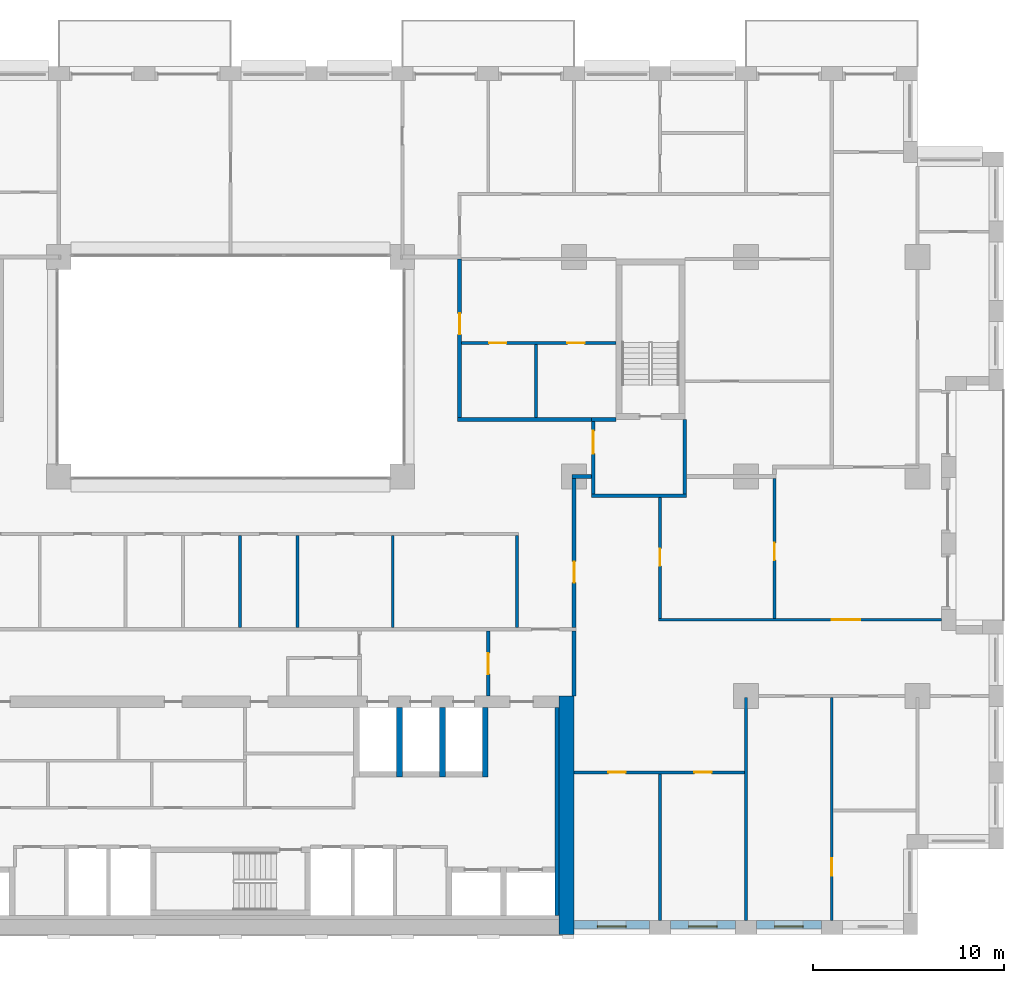
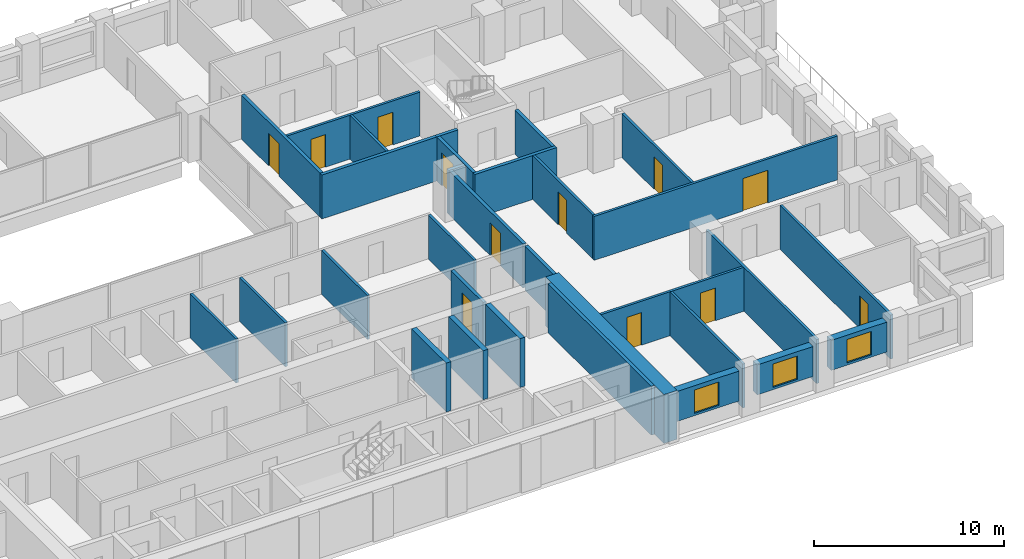
# One storey, part 11 of 16: 31 walls, 12 doors, 3 windows, 15 openings.
"""IFC4 building model written with IfcOpenShell, lengths in metres."""

from ifc_helpers import new_model, si_unit, direction, frame, frame_2d, origin, place, context, subcontext, project, spatial, rectangle, extrude, material, layer, layer_set, type_object, element, fill, save


model = new_model("IFC4")

# Units and contexts
model_context = context("Model", 3, precision=1e-05, world=origin(), true_north=direction((0.0, 1.0)))
body_context = subcontext(model_context, "Body", "Model", "MODEL_VIEW")
ifc_project = project(units=[si_unit("LENGTHUNIT", "METRE"), si_unit("AREAUNIT", "SQUARE_METRE"), si_unit("VOLUMEUNIT", "CUBIC_METRE"), si_unit("PLANEANGLEUNIT", "RADIAN"), si_unit("MASSUNIT", "GRAM", prefix="KILO")], contexts=[model_context])

# Site, building, storey
site_placement = place(None, origin())
site = spatial("IfcSite", under=ifc_project, at=site_placement, CompositionType="ELEMENT")
building_placement = place(site_placement, origin())
building = spatial("IfcBuilding", under=site, at=building_placement, Name="Brigalow Station Residences", CompositionType="ELEMENT")
storey_placement = place(building_placement, frame((0.0, 0.0, 105.60009765625)))
storey = spatial("IfcBuildingStorey", under=building, at=storey_placement, Name="L30", CompositionType="ELEMENT", Elevation=105.60009765625)

# Wall, opening, window
ifc_material_1 = material(Name="Clay brick masonry", Category="masonry")
ifc_layer_1 = layer(ifc_material_1, 0.449951171875)
ifc_layer_set_1 = layer_set([ifc_layer_1], Name="BRICK INFILL WALL 450")
wall_type_1 = type_object("IfcWallType", Name="BRICK INFILL WALL 450", PredefinedType="SOLIDWALL", material=ifc_layer_set_1)
wall_1_placement = place(storey_placement, frame((54.0, 0.52490234375, 0.89990234375), z_axis=(0.0, 0.0, 1.0), x_axis=(1.0, 0.0, 0.0)))
wall_1 = element("IfcWall", 1, at=wall_1_placement, inside=storey, type_object=wall_type_1, Name="L30/ewall/W-L30-4", PredefinedType="SOLIDWALL", context=body_context, shape_type="SweptSolid", body=[
    extrude(rectangle(XDim=3.949951171875, YDim=0.449951171875, at=frame_2d((1.97509765625, 0.0))), origin(), (0.0, 0.0, 1.0), 1.929931640625),
])
opening_1_placement = place(wall_1_placement, frame((1.22509765625, 0.0, 0.14990234375)))
opening_1 = element("IfcOpeningElement", 2, at=opening_1_placement, cuts=wall_1, Name="Opening WT-1", PredefinedType="OPENING", context=body_context, shape_type="SweptSolid", body=[
    extrude(rectangle(XDim=1.5, YDim=1.5, at=frame_2d((0.75, 0.75))), frame((0.0, 0.23486328125, 0.0), z_axis=(0.0, -1.0, 0.0), x_axis=(1.0, 0.0, 0.0)), (0.0, 0.0, 1.0), 0.469970703125),
])
ifc_material_2 = material(Name="Anodised aluminium frame with double glazing", Category="aluminium")
window_type = type_object("IfcWindowType", Name="WINDOW 1500x1500", PartitioningType="SINGLE_PANEL", PredefinedType="WINDOW", material=ifc_material_2)
window_1_placement = place(opening_1_placement, origin())
window_1 = element("IfcWindow", 3, at=window_1_placement, inside=storey, type_object=window_type, Name="L30/window/W-L30-4", OverallHeight=1.5, OverallWidth=1.5, PartitioningType="SINGLE_PANEL", PredefinedType="WINDOW", context=body_context, shape_type="SweptSolid", body=[
    extrude(rectangle(XDim=1.5, YDim=1.5, at=frame_2d((0.75, 0.75))), frame((0.0, -0.06494140625, 0.0), z_axis=(0.0, -1.0, 0.0), x_axis=(1.0, 0.0, 0.0)), (0.0, 0.0, 1.0), 0.06005859375),
])
fill(opening_1, window_1)

wall_2_placement = place(storey_placement, frame((59.050048828125, 0.52490234375, 0.89990234375), z_axis=(0.0, 0.0, 1.0), x_axis=(1.0, 0.0, 0.0)))
wall_2 = element("IfcWall", 4, at=wall_2_placement, inside=storey, type_object=wall_type_1, Name="L30/ewall/W-L30-5", PredefinedType="SOLIDWALL", context=body_context, shape_type="SweptSolid", body=[
    extrude(rectangle(XDim=3.39990234375, YDim=0.449951171875, at=frame_2d((1.699951171875, 0.0))), origin(), (0.0, 0.0, 1.0), 1.929931640625),
])
opening_2_placement = place(wall_2_placement, frame((0.949951171875, 0.0, 0.14990234375)))
opening_2 = element("IfcOpeningElement", 5, at=opening_2_placement, cuts=wall_2, Name="Opening WT-1", PredefinedType="OPENING", context=body_context, shape_type="SweptSolid", body=[
    extrude(rectangle(XDim=1.5, YDim=1.5, at=frame_2d((0.75, 0.75))), frame((0.0, 0.23486328125, 0.0), z_axis=(0.0, -1.0, 0.0), x_axis=(1.0, 0.0, 0.0)), (0.0, 0.0, 1.0), 0.469970703125),
])
window_2_placement = place(opening_2_placement, origin())
window_2 = element("IfcWindow", 6, at=window_2_placement, inside=storey, type_object=window_type, Name="L30/window/W-L30-5", OverallHeight=1.5, OverallWidth=1.5, PartitioningType="SINGLE_PANEL", PredefinedType="WINDOW", context=body_context, shape_type="SweptSolid", body=[
    extrude(rectangle(XDim=1.5, YDim=1.5, at=frame_2d((0.75, 0.75))), frame((0.0, -0.06494140625, 0.0), z_axis=(0.0, -1.0, 0.0), x_axis=(1.0, 0.0, 0.0)), (0.0, 0.0, 1.0), 0.06005859375),
])
fill(opening_2, window_2)

wall_3_placement = place(storey_placement, frame((63.550048828125, 0.52490234375, 0.89990234375), z_axis=(0.0, 0.0, 1.0), x_axis=(1.0, 0.0, 0.0)))
wall_3 = element("IfcWall", 7, at=wall_3_placement, inside=storey, type_object=wall_type_1, Name="L30/ewall/W-L30-6", PredefinedType="SOLIDWALL", context=body_context, shape_type="SweptSolid", body=[
    extrude(rectangle(XDim=3.39990234375, YDim=0.449951171875, at=frame_2d((1.699951171875, 0.0))), origin(), (0.0, 0.0, 1.0), 1.929931640625),
])
opening_3_placement = place(wall_3_placement, frame((0.949951171875, 0.0, 0.14990234375)))
opening_3 = element("IfcOpeningElement", 8, at=opening_3_placement, cuts=wall_3, Name="Opening WT-1", PredefinedType="OPENING", context=body_context, shape_type="SweptSolid", body=[
    extrude(rectangle(XDim=1.5, YDim=1.5, at=frame_2d((0.75, 0.75))), frame((0.0, 0.23486328125, 0.0), z_axis=(0.0, -1.0, 0.0), x_axis=(1.0, 0.0, 0.0)), (0.0, 0.0, 1.0), 0.469970703125),
])
window_3_placement = place(opening_3_placement, origin())
window_3 = element("IfcWindow", 9, at=window_3_placement, inside=storey, type_object=window_type, Name="L30/window/W-L30-6", OverallHeight=1.5, OverallWidth=1.5, PartitioningType="SINGLE_PANEL", PredefinedType="WINDOW", context=body_context, shape_type="SweptSolid", body=[
    extrude(rectangle(XDim=1.5, YDim=1.5, at=frame_2d((0.75, 0.75))), frame((0.0, -0.06494140625, 0.0), z_axis=(0.0, -1.0, 0.0), x_axis=(1.0, 0.0, 0.0)), (0.0, 0.0, 1.0), 0.06005859375),
])
fill(opening_3, window_3)

# Walls
ifc_material_3 = material(Name="Concrete C65", Category="concrete")
ifc_layer_2 = layer(ifc_material_3, 0.199951171875)
ifc_layer_set_2 = layer_set([ifc_layer_2], Name="CORE SHEAR WALL 200 C65")
wall_type_2 = type_object("IfcWallType", Name="CORE SHEAR WALL 200 C65", PredefinedType="SHEAR", material=ifc_layer_set_2)
wall_4_placement = place(storey_placement, frame((53.10009765625, 1.0, 0.0), z_axis=(0.0, 0.0, 1.0), x_axis=(0.0, 1.0, 0.0)))
element("IfcWall", 10, at=wall_4_placement, inside=storey, type_object=wall_type_2, Name="CORE WALL LIN-E L30", PredefinedType="SHEAR", context=body_context, shape_type="SweptSolid", body=[
    extrude(rectangle(XDim=10.89990234375, YDim=0.199951171875, at=frame_2d((5.449951171875, 0.0))), origin(), (0.0, 0.0, 1.0), 3.14990234375),
])
ifc_material_4 = material(Name="Concrete C65", Category="concrete")
ifc_layer_3 = layer(ifc_material_4, 0.300048828125)
ifc_layer_set_3 = layer_set([ifc_layer_3], Name="CORE SHEAR WALL 300 C65")
wall_type_3 = type_object("IfcWallType", Name="CORE SHEAR WALL 300 C65", PredefinedType="SHEAR", material=ifc_layer_set_3)
for number, where, z_axis, x_axis, name in (
    (11, (44.85009765625, 8.25, 0.0), (0.0, 0.0, 1.0), (0.0, 1.0, 0.0), "CORE WALL SH-FF2-W L30"),
    (12, (47.10009765625, 8.25, 0.0), (0.0, 0.0, 1.0), (0.0, 1.0, 0.0), "CORE WALL SH-SL1-W L30"),
    (13, (49.35009765625, 8.25, 0.0), (0.0, 0.0, 1.0), (0.0, 1.0, 0.0), "CORE WALL SH-SL1-E L30"),
):
    element("IfcWall", number, at=place(storey_placement, frame(where, z_axis=z_axis, x_axis=x_axis)), inside=storey, type_object=wall_type_3, Name=name, PredefinedType="SHEAR", context=body_context, shape_type="SweptSolid", body=[
        extrude(rectangle(XDim=3.64990234375, YDim=0.300048828125, at=frame_2d((1.824951171875, 0.0))), origin(), (0.0, 0.0, 1.0), 3.14990234375),
    ])
ifc_material_5 = material(Name="Concrete C65", Category="concrete")
ifc_layer_4 = layer(ifc_material_5, 0.800048828125)
ifc_layer_set_4 = layer_set([ifc_layer_4], Name="CORE SHEAR WALL 800 C65")
wall_type_4 = type_object("IfcWallType", Name="CORE SHEAR WALL 800 C65", PredefinedType="SHEAR", material=ifc_layer_set_4)
wall_5_placement = place(storey_placement, frame((53.60009765625, 0.0, 0.0), z_axis=(0.0, 0.0, 1.0), x_axis=(0.0, 1.0, 0.0)))
element("IfcWall", 14, at=wall_5_placement, inside=storey, type_object=wall_type_4, Name="CORE WALL OUT-E L30", PredefinedType="SHEAR", context=body_context, shape_type="SweptSolid", body=[
    extrude(rectangle(XDim=12.5, YDim=0.800048828125, at=frame_2d((6.25, 0.0))), origin(), (0.0, 0.0, 1.0), 3.14990234375),
])
ifc_material_6 = material(Name="Concrete blockwork", Category="masonry")
ifc_layer_5 = layer(ifc_material_6, 0.199951171875)
ifc_layer_set_5 = layer_set([ifc_layer_5], Name="FIRE RATED CORE PARTITION 200")
wall_type_5 = type_object("IfcWallType", Name="FIRE RATED CORE PARTITION 200", PredefinedType="PARTITIONING", material=ifc_layer_set_5)
wall_6_placement = place(storey_placement, frame((54.89990234375, 23.0, 0.0), z_axis=(0.0, 0.0, 1.0), x_axis=(1.0, 0.0, 0.0)))
element("IfcWall", 15, at=wall_6_placement, inside=storey, type_object=wall_type_5, Name="PW-5024", PredefinedType="PARTITIONING", context=body_context, shape_type="SweptSolid", body=[
    extrude(rectangle(XDim=5.0, YDim=0.199951171875, at=frame_2d((2.5, 0.0))), origin(), (0.0, 0.0, 1.0), 2.829833984375),
])
wall_7_placement = place(storey_placement, frame((54.89990234375, 27.0, 0.0), z_axis=(0.0, 0.0, 1.0), x_axis=(1.0, 0.0, 0.0)))
element("IfcWall", 16, at=wall_7_placement, inside=storey, type_object=wall_type_5, Name="PW-5026", PredefinedType="PARTITIONING", context=body_context, shape_type="SweptSolid", body=[
    extrude(rectangle(XDim=1.300048828125, YDim=0.199951171875, at=frame_2d((0.64990234375, 0.0))), origin(), (0.0, 0.0, 1.0), 2.829833984375),
])

# Wall, opening, door
wall_8_placement = place(storey_placement, frame((49.5, 12.5, 0.0), z_axis=(0.0, 0.0, 1.0), x_axis=(0.0, 1.0, 0.0)))
wall_8 = element("IfcWall", 17, at=wall_8_placement, inside=storey, type_object=wall_type_5, Name="PW-5015", PredefinedType="PARTITIONING", context=body_context, shape_type="SweptSolid", body=[
    extrude(rectangle(XDim=3.39990234375, YDim=0.199951171875, at=frame_2d((1.699951171875, 0.0))), origin(), (0.0, 0.0, 1.0), 2.829833984375),
])
opening_4_placement = place(wall_8_placement, frame((1.14990234375, 0.0, 0.0)))
opening_4 = element("IfcOpeningElement", 18, at=opening_4_placement, cuts=wall_8, Name="Opening D-5014", PredefinedType="OPENING", context=body_context, shape_type="SweptSolid", body=[
    extrude(rectangle(XDim=1.10009765625, YDim=2.10009765625, at=frame_2d((0.550048828125, 1.050048828125))), frame((0.0, 0.10986328125, 0.0), z_axis=(0.0, -1.0, 0.0), x_axis=(1.0, 0.0, 0.0)), (0.0, 0.0, 1.0), 0.219970703125),
])
ifc_material_7 = material(Name="Steel fire door leaf in steel frame", Category="steel")
door_type_1 = type_object("IfcDoorType", Name="LOBBY DOOR 1100 x 2100 FD60S", OperationType="SINGLE_SWING_LEFT", PredefinedType="DOOR", material=ifc_material_7)
door_1_placement = place(opening_4_placement, origin())
door_1 = element("IfcDoor", 19, at=door_1_placement, inside=storey, type_object=door_type_1, Name="D-5014", OperationType="SINGLE_SWING_LEFT", OverallHeight=2.10009765625, OverallWidth=1.10009765625, PredefinedType="DOOR", context=body_context, shape_type="SweptSolid", body=[
    extrude(rectangle(XDim=1.10009765625, YDim=2.10009765625, at=frame_2d((0.550048828125, 1.050048828125))), frame((0.0, 0.02490234375, 0.0), z_axis=(0.0, -1.0, 0.0), x_axis=(1.0, 0.0, 0.0)), (0.0, 0.0, 1.0), 0.050048828125),
])
fill(opening_4, door_1)

# Wall
wall_9_placement = place(storey_placement, frame((54.0, 12.5, 0.0), z_axis=(0.0, 0.0, 1.0), x_axis=(0.0, 1.0, 0.0)))
element("IfcWall", 20, at=wall_9_placement, inside=storey, type_object=wall_type_5, Name="PW-5016", PredefinedType="PARTITIONING", context=body_context, shape_type="SweptSolid", body=[
    extrude(rectangle(XDim=3.39990234375, YDim=0.199951171875, at=frame_2d((1.699951171875, 0.0))), origin(), (0.0, 0.0, 1.0), 2.829833984375),
])

# Wall, opening, door
wall_10_placement = place(storey_placement, frame((55.0, 23.10009765625, 0.0), z_axis=(0.0, 0.0, 1.0), x_axis=(0.0, 1.0, 0.0)))
wall_10 = element("IfcWall", 21, at=wall_10_placement, inside=storey, type_object=wall_type_5, Name="PW-5036", PredefinedType="PARTITIONING", context=body_context, shape_type="SweptSolid", body=[
    extrude(rectangle(XDim=3.7998046875, YDim=0.199951171875, at=frame_2d((1.89990234375, 0.0))), origin(), (0.0, 0.0, 1.0), 2.829833984375),
])
opening_5_placement = place(wall_10_placement, frame((2.10009765625, 0.0, 0.0)))
opening_5 = element("IfcOpeningElement", 22, at=opening_5_placement, cuts=wall_10, Name="Opening D-5019", PredefinedType="OPENING", context=body_context, shape_type="SweptSolid", body=[
    extrude(rectangle(XDim=1.199951171875, YDim=2.10009765625, at=frame_2d((0.60009765625, 1.050048828125))), frame((0.0, 0.10986328125, 0.0), z_axis=(0.0, -1.0, 0.0), x_axis=(1.0, 0.0, 0.0)), (0.0, 0.0, 1.0), 0.219970703125),
])
ifc_material_8 = material(Name="Steel fire door leaf in steel frame", Category="steel")
door_type_2 = type_object("IfcDoorType", Name="STAIR LOBBY DOOR 1200 x 2100 FD60S", OperationType="SINGLE_SWING_LEFT", PredefinedType="DOOR", material=ifc_material_8)
door_2_placement = place(opening_5_placement, frame((1.199951171875, 0.0, 0.0), z_axis=(0.0, 0.0, 1.0), x_axis=(-1.0, 0.0, 0.0)))
door_2 = element("IfcDoor", 23, at=door_2_placement, inside=storey, type_object=door_type_2, Name="D-5019", OperationType="SINGLE_SWING_LEFT", OverallHeight=2.10009765625, OverallWidth=1.199951171875, PredefinedType="DOOR", context=body_context, shape_type="SweptSolid", body=[
    extrude(rectangle(XDim=1.199951171875, YDim=2.10009765625, at=frame_2d((0.60009765625, 1.050048828125))), frame((0.0, 0.02490234375, 0.0), z_axis=(0.0, -1.0, 0.0), x_axis=(1.0, 0.0, 0.0)), (0.0, 0.0, 1.0), 0.050048828125),
])
fill(opening_5, door_2)

# Wall
wall_11_placement = place(storey_placement, frame((59.800048828125, 23.10009765625, 0.0), z_axis=(0.0, 0.0, 1.0), x_axis=(0.0, 1.0, 0.0)))
element("IfcWall", 24, at=wall_11_placement, inside=storey, type_object=wall_type_5, Name="PW-5037", PredefinedType="PARTITIONING", context=body_context, shape_type="SweptSolid", body=[
    extrude(rectangle(XDim=3.89990234375, YDim=0.199951171875, at=frame_2d((1.949951171875, 0.0))), origin(), (0.0, 0.0, 1.0), 2.829833984375),
])

# Wall, opening, door
ifc_material_9 = material(Name="Plasterboard on steel stud partition", Category="steel")
ifc_layer_6 = layer(ifc_material_9, 0.14990234375)
ifc_layer_set_6 = layer_set([ifc_layer_6], Name="FLAT PARTITION 150")
wall_type_6 = type_object("IfcWallType", Name="FLAT PARTITION 150", PredefinedType="PARTITIONING", material=ifc_layer_set_6)
wall_12_placement = place(storey_placement, frame((58.425048828125, 16.5, 0.0), z_axis=(0.0, 0.0, 1.0), x_axis=(1.0, 0.0, 0.0)))
wall_12 = element("IfcWall", 25, at=wall_12_placement, inside=storey, type_object=wall_type_6, Name="PW-2C14", PredefinedType="PARTITIONING", context=body_context, shape_type="SweptSolid", body=[
    extrude(rectangle(XDim=14.824951171875, YDim=0.14990234375, at=frame_2d((7.41259765625, 0.0))), origin(), (0.0, 0.0, 1.0), 2.829833984375),
])
opening_6_placement = place(wall_12_placement, frame((9.074951171875, 0.0, 0.0)))
opening_6 = element("IfcOpeningElement", 26, at=opening_6_placement, cuts=wall_12, Name="Opening D-2C40", PredefinedType="OPENING", context=body_context, shape_type="SweptSolid", body=[
    extrude(rectangle(XDim=1.5, YDim=2.10009765625, at=frame_2d((0.75, 1.050048828125))), frame((0.0, 0.0849609375, 0.0), z_axis=(0.0, -1.0, 0.0), x_axis=(1.0, 0.0, 0.0)), (0.0, 0.0, 1.0), 0.169921875),
])
ifc_material_10 = material(Name="Solid-core timber door leaf", Category="wood")
door_type_3 = type_object("IfcDoorType", Name="INTERNAL DOUBLE DOOR 1500 x 2100", OperationType="DOUBLE_DOOR_SINGLE_SWING", PredefinedType="DOOR", material=ifc_material_10)
door_3_placement = place(opening_6_placement, origin())
door_3 = element("IfcDoor", 27, at=door_3_placement, inside=storey, type_object=door_type_3, Name="D-2C40", OperationType="DOUBLE_DOOR_SINGLE_SWING", OverallHeight=2.10009765625, OverallWidth=1.5, PredefinedType="DOOR", context=body_context, shape_type="SweptSolid", body=[
    extrude(rectangle(XDim=1.5, YDim=2.10009765625, at=frame_2d((0.75, 1.050048828125))), frame((0.0, 0.02490234375, 0.0), z_axis=(0.0, -1.0, 0.0), x_axis=(1.0, 0.0, 0.0)), (0.0, 0.0, 1.0), 0.050048828125),
])
fill(opening_6, door_3)

# Wall, openings, doors
wall_13_placement = place(storey_placement, frame((54.0, 8.5, 0.0), z_axis=(0.0, 0.0, 1.0), x_axis=(1.0, 0.0, 0.0)))
wall_13 = element("IfcWall", 28, at=wall_13_placement, inside=storey, type_object=wall_type_6, Name="PW-2C16", PredefinedType="PARTITIONING", context=body_context, shape_type="SweptSolid", body=[
    extrude(rectangle(XDim=8.925048828125, YDim=0.14990234375, at=frame_2d((4.46240234375, 0.0))), origin(), (0.0, 0.0, 1.0), 2.829833984375),
])
opening_7_placement = place(wall_13_placement, frame((1.800048828125, 0.0, 0.0)))
opening_7 = element("IfcOpeningElement", 29, at=opening_7_placement, cuts=wall_13, Name="Opening D-2C32", PredefinedType="OPENING", context=body_context, shape_type="SweptSolid", body=[
    extrude(rectangle(XDim=0.89990234375, YDim=2.10009765625, at=frame_2d((0.449951171875, 1.050048828125))), frame((0.0, 0.0849609375, 0.0), z_axis=(0.0, -1.0, 0.0), x_axis=(1.0, 0.0, 0.0)), (0.0, 0.0, 1.0), 0.169921875),
])
opening_8_placement = place(wall_13_placement, frame((6.300048828125, 0.0, 0.0)))
opening_8 = element("IfcOpeningElement", 30, at=opening_8_placement, cuts=wall_13, Name="Opening D-2C34", PredefinedType="OPENING", context=body_context, shape_type="SweptSolid", body=[
    extrude(rectangle(XDim=0.89990234375, YDim=2.10009765625, at=frame_2d((0.449951171875, 1.050048828125))), frame((0.0, 0.0849609375, 0.0), z_axis=(0.0, -1.0, 0.0), x_axis=(1.0, 0.0, 0.0)), (0.0, 0.0, 1.0), 0.169921875),
])
ifc_material_11 = material(Name="Solid-core timber door leaf", Category="wood")
door_type_4 = type_object("IfcDoorType", Name="INTERNAL DOOR 900 x 2100", OperationType="SINGLE_SWING_LEFT", PredefinedType="DOOR", material=ifc_material_11)
door_4_placement = place(opening_7_placement, frame((0.89990234375, 0.0, 0.0), z_axis=(0.0, 0.0, 1.0), x_axis=(-1.0, 0.0, 0.0)))
door_4 = element("IfcDoor", 31, at=door_4_placement, inside=storey, type_object=door_type_4, Name="D-2C32", OperationType="SINGLE_SWING_LEFT", OverallHeight=2.10009765625, OverallWidth=0.89990234375, PredefinedType="DOOR", context=body_context, shape_type="SweptSolid", body=[
    extrude(rectangle(XDim=0.89990234375, YDim=2.10009765625, at=frame_2d((0.449951171875, 1.050048828125))), frame((0.0, 0.02490234375, 0.0), z_axis=(0.0, -1.0, 0.0), x_axis=(1.0, 0.0, 0.0)), (0.0, 0.0, 1.0), 0.050048828125),
])
fill(opening_7, door_4)
door_5_placement = place(opening_8_placement, frame((0.89990234375, 0.0, 0.0), z_axis=(0.0, 0.0, 1.0), x_axis=(-1.0, 0.0, 0.0)))
door_5 = element("IfcDoor", 32, at=door_5_placement, inside=storey, type_object=door_type_4, Name="D-2C34", OperationType="SINGLE_SWING_RIGHT", OverallHeight=2.10009765625, OverallWidth=0.89990234375, PredefinedType="DOOR", context=body_context, shape_type="SweptSolid", body=[
    extrude(rectangle(XDim=0.89990234375, YDim=2.10009765625, at=frame_2d((0.449951171875, 1.050048828125))), frame((0.0, 0.02490234375, 0.0), z_axis=(0.0, -1.0, 0.0), x_axis=(1.0, 0.0, 0.0)), (0.0, 0.0, 1.0), 0.050048828125),
])
fill(opening_8, door_5)

wall_14_placement = place(storey_placement, frame((48.10009765625, 31.0, 0.0), z_axis=(0.0, 0.0, 1.0), x_axis=(1.0, 0.0, 0.0)))
wall_14 = element("IfcWall", 33, at=wall_14_placement, inside=storey, type_object=wall_type_6, Name="PW-2C31", PredefinedType="PARTITIONING", context=body_context, shape_type="SweptSolid", body=[
    extrude(rectangle(XDim=8.099853515625, YDim=0.14990234375, at=frame_2d((4.0498046875, 0.0))), origin(), (0.0, 0.0, 1.0), 2.829833984375),
])
opening_9_placement = place(wall_14_placement, frame((1.449951171875, 0.0, 0.0)))
opening_9 = element("IfcOpeningElement", 34, at=opening_9_placement, cuts=wall_14, Name="Opening D-2C18", PredefinedType="OPENING", context=body_context, shape_type="SweptSolid", body=[
    extrude(rectangle(XDim=0.89990234375, YDim=2.10009765625, at=frame_2d((0.449951171875, 1.050048828125))), frame((0.0, 0.0849609375, 0.0), z_axis=(0.0, -1.0, 0.0), x_axis=(1.0, 0.0, 0.0)), (0.0, 0.0, 1.0), 0.169921875),
])
opening_10_placement = place(wall_14_placement, frame((5.550048828125, 0.0, 0.0)))
opening_10 = element("IfcOpeningElement", 35, at=opening_10_placement, cuts=wall_14, Name="Opening D-2C19", PredefinedType="OPENING", context=body_context, shape_type="SweptSolid", body=[
    extrude(rectangle(XDim=0.89990234375, YDim=2.10009765625, at=frame_2d((0.449951171875, 1.050048828125))), frame((0.0, 0.0849609375, 0.0), z_axis=(0.0, -1.0, 0.0), x_axis=(1.0, 0.0, 0.0)), (0.0, 0.0, 1.0), 0.169921875),
])
door_6_placement = place(opening_9_placement, frame((0.89990234375, 0.0, 0.0), z_axis=(0.0, 0.0, 1.0), x_axis=(-1.0, 0.0, 0.0)))
door_6 = element("IfcDoor", 36, at=door_6_placement, inside=storey, type_object=door_type_4, Name="D-2C18", OperationType="SINGLE_SWING_RIGHT", OverallHeight=2.10009765625, OverallWidth=0.89990234375, PredefinedType="DOOR", context=body_context, shape_type="SweptSolid", body=[
    extrude(rectangle(XDim=0.89990234375, YDim=2.10009765625, at=frame_2d((0.449951171875, 1.050048828125))), frame((0.0, 0.02490234375, 0.0), z_axis=(0.0, -1.0, 0.0), x_axis=(1.0, 0.0, 0.0)), (0.0, 0.0, 1.0), 0.050048828125),
])
fill(opening_9, door_6)
door_7_placement = place(opening_10_placement, frame((0.89990234375, 0.0, 0.0), z_axis=(0.0, 0.0, 1.0), x_axis=(-1.0, 0.0, 0.0)))
door_7 = element("IfcDoor", 37, at=door_7_placement, inside=storey, type_object=door_type_4, Name="D-2C19", OperationType="SINGLE_SWING_RIGHT", OverallHeight=2.10009765625, OverallWidth=0.89990234375, PredefinedType="DOOR", context=body_context, shape_type="SweptSolid", body=[
    extrude(rectangle(XDim=0.89990234375, YDim=2.10009765625, at=frame_2d((0.449951171875, 1.050048828125))), frame((0.0, 0.02490234375, 0.0), z_axis=(0.0, -1.0, 0.0), x_axis=(1.0, 0.0, 0.0)), (0.0, 0.0, 1.0), 0.050048828125),
])
fill(opening_10, door_7)

# Walls
wall_15_placement = place(storey_placement, frame((51.0, 16.10009765625, 0.0), z_axis=(0.0, 0.0, 1.0), x_axis=(0.0, 1.0, 0.0)))
element("IfcWall", 38, at=wall_15_placement, inside=storey, type_object=wall_type_6, Name="PW-2C40", PredefinedType="PARTITIONING", context=body_context, shape_type="SweptSolid", body=[
    extrude(rectangle(XDim=4.824951171875, YDim=0.14990234375, at=frame_2d((2.41259765625, 0.0))), origin(), (0.0, 0.0, 1.0), 2.829833984375),
])
wall_16_placement = place(storey_placement, frame((52.0, 27.10009765625, 0.0), z_axis=(0.0, 0.0, 1.0), x_axis=(0.0, 1.0, 0.0)))
element("IfcWall", 39, at=wall_16_placement, inside=storey, type_object=wall_type_6, Name="PW-2C55", PredefinedType="PARTITIONING", context=body_context, shape_type="SweptSolid", body=[
    extrude(rectangle(XDim=3.824951171875, YDim=0.14990234375, at=frame_2d((1.91259765625, 0.0))), origin(), (0.0, 0.0, 1.0), 2.829833984375),
])

# Wall, opening, door
wall_17_placement = place(storey_placement, frame((67.5, 0.75, 0.0), z_axis=(0.0, 0.0, 1.0), x_axis=(0.0, 1.0, 0.0)))
wall_17 = element("IfcWall", 40, at=wall_17_placement, inside=storey, type_object=wall_type_6, Name="PW-2C56", PredefinedType="PARTITIONING", context=body_context, shape_type="SweptSolid", body=[
    extrude(rectangle(XDim=11.675048828125, YDim=0.14990234375, at=frame_2d((5.83740234375, 0.0))), origin(), (0.0, 0.0, 1.0), 2.829833984375),
])
opening_11_placement = place(wall_17_placement, frame((2.35009765625, 0.0, 0.0)))
opening_11 = element("IfcOpeningElement", 41, at=opening_11_placement, cuts=wall_17, Name="Opening D-2C36", PredefinedType="OPENING", context=body_context, shape_type="SweptSolid", body=[
    extrude(rectangle(XDim=0.89990234375, YDim=2.10009765625, at=frame_2d((0.449951171875, 1.050048828125))), frame((0.0, 0.0849609375, 0.0), z_axis=(0.0, -1.0, 0.0), x_axis=(1.0, 0.0, 0.0)), (0.0, 0.0, 1.0), 0.169921875),
])
door_8_placement = place(opening_11_placement, frame((0.89990234375, 0.0, 0.0), z_axis=(0.0, 0.0, 1.0), x_axis=(-1.0, 0.0, 0.0)))
door_8 = element("IfcDoor", 42, at=door_8_placement, inside=storey, type_object=door_type_4, Name="D-2C36", OperationType="SINGLE_SWING_RIGHT", OverallHeight=2.10009765625, OverallWidth=0.89990234375, PredefinedType="DOOR", context=body_context, shape_type="SweptSolid", body=[
    extrude(rectangle(XDim=0.89990234375, YDim=2.10009765625, at=frame_2d((0.449951171875, 1.050048828125))), frame((0.0, 0.02490234375, 0.0), z_axis=(0.0, -1.0, 0.0), x_axis=(1.0, 0.0, 0.0)), (0.0, 0.0, 1.0), 0.050048828125),
])
fill(opening_11, door_8)

# Wall
wall_18_placement = place(storey_placement, frame((58.5, 0.75, 0.0), z_axis=(0.0, 0.0, 1.0), x_axis=(0.0, 1.0, 0.0)))
element("IfcWall", 43, at=wall_18_placement, inside=storey, type_object=wall_type_6, Name="PW-2C58", PredefinedType="PARTITIONING", context=body_context, shape_type="SweptSolid", body=[
    extrude(rectangle(XDim=7.675048828125, YDim=0.14990234375, at=frame_2d((3.83740234375, 0.0))), origin(), (0.0, 0.0, 1.0), 2.829833984375),
])

# Wall, opening, door
wall_19_placement = place(storey_placement, frame((58.5, 16.574951171875, 0.0), z_axis=(0.0, 0.0, 1.0), x_axis=(0.0, 1.0, 0.0)))
wall_19 = element("IfcWall", 44, at=wall_19_placement, inside=storey, type_object=wall_type_6, Name="PW-2C59", PredefinedType="PARTITIONING", context=body_context, shape_type="SweptSolid", body=[
    extrude(rectangle(XDim=6.324951171875, YDim=0.14990234375, at=frame_2d((3.16259765625, 0.0))), origin(), (0.0, 0.0, 1.0), 2.829833984375),
])
opening_12_placement = place(wall_19_placement, frame((2.75, 0.0, 0.0)))
opening_12 = element("IfcOpeningElement", 45, at=opening_12_placement, cuts=wall_19, Name="Opening D-2C38", PredefinedType="OPENING", context=body_context, shape_type="SweptSolid", body=[
    extrude(rectangle(XDim=0.89990234375, YDim=2.10009765625, at=frame_2d((0.449951171875, 1.050048828125))), frame((0.0, 0.0849609375, 0.0), z_axis=(0.0, -1.0, 0.0), x_axis=(1.0, 0.0, 0.0)), (0.0, 0.0, 1.0), 0.169921875),
])
door_9_placement = place(opening_12_placement, frame((0.89990234375, 0.0, 0.0), z_axis=(0.0, 0.0, 1.0), x_axis=(-1.0, 0.0, 0.0)))
door_9 = element("IfcDoor", 46, at=door_9_placement, inside=storey, type_object=door_type_4, Name="D-2C38", OperationType="SINGLE_SWING_LEFT", OverallHeight=2.10009765625, OverallWidth=0.89990234375, PredefinedType="DOOR", context=body_context, shape_type="SweptSolid", body=[
    extrude(rectangle(XDim=0.89990234375, YDim=2.10009765625, at=frame_2d((0.449951171875, 1.050048828125))), frame((0.0, 0.02490234375, 0.0), z_axis=(0.0, -1.0, 0.0), x_axis=(1.0, 0.0, 0.0)), (0.0, 0.0, 1.0), 0.050048828125),
])
fill(opening_12, door_9)

# Wall
wall_20_placement = place(storey_placement, frame((63.0, 0.75, 0.0), z_axis=(0.0, 0.0, 1.0), x_axis=(0.0, 1.0, 0.0)))
element("IfcWall", 47, at=wall_20_placement, inside=storey, type_object=wall_type_6, Name="PW-2C61", PredefinedType="PARTITIONING", context=body_context, shape_type="SweptSolid", body=[
    extrude(rectangle(XDim=11.675048828125, YDim=0.14990234375, at=frame_2d((5.83740234375, 0.0))), origin(), (0.0, 0.0, 1.0), 2.829833984375),
])

# Wall, opening, door
wall_21_placement = place(storey_placement, frame((64.5, 16.574951171875, 0.0), z_axis=(0.0, 0.0, 1.0), x_axis=(0.0, 1.0, 0.0)))
wall_21 = element("IfcWall", 48, at=wall_21_placement, inside=storey, type_object=wall_type_6, Name="PW-2C63", PredefinedType="PARTITIONING", context=body_context, shape_type="SweptSolid", body=[
    extrude(rectangle(XDim=7.324951171875, YDim=0.14990234375, at=frame_2d((3.66259765625, 0.0))), origin(), (0.0, 0.0, 1.0), 2.829833984375),
])
opening_13_placement = place(wall_21_placement, frame((3.050048828125, 0.0, 0.0)))
opening_13 = element("IfcOpeningElement", 49, at=opening_13_placement, cuts=wall_21, Name="Opening D-2C39", PredefinedType="OPENING", context=body_context, shape_type="SweptSolid", body=[
    extrude(rectangle(XDim=0.89990234375, YDim=2.10009765625, at=frame_2d((0.449951171875, 1.050048828125))), frame((0.0, 0.0849609375, 0.0), z_axis=(0.0, -1.0, 0.0), x_axis=(1.0, 0.0, 0.0)), (0.0, 0.0, 1.0), 0.169921875),
])
door_10_placement = place(opening_13_placement, origin())
door_10 = element("IfcDoor", 50, at=door_10_placement, inside=storey, type_object=door_type_4, Name="D-2C39", OperationType="SINGLE_SWING_LEFT", OverallHeight=2.10009765625, OverallWidth=0.89990234375, PredefinedType="DOOR", context=body_context, shape_type="SweptSolid", body=[
    extrude(rectangle(XDim=0.89990234375, YDim=2.10009765625, at=frame_2d((0.449951171875, 1.050048828125))), frame((0.0, 0.02490234375, 0.0), z_axis=(0.0, -1.0, 0.0), x_axis=(1.0, 0.0, 0.0)), (0.0, 0.0, 1.0), 0.050048828125),
])
fill(opening_13, door_10)

# Walls
for number, where, z_axis, x_axis, name in (
    (51, (36.5, 16.10009765625, 0.0), (0.0, 0.0, 1.0), (0.0, 1.0, 0.0), "PW-2C70"),
    (52, (39.5, 16.10009765625, 0.0), (0.0, 0.0, 1.0), (0.0, 1.0, 0.0), "PW-2C71"),
    (53, (44.5, 16.10009765625, 0.0), (0.0, 0.0, 1.0), (0.0, 1.0, 0.0), "PW-2C72"),
):
    element("IfcWall", number, at=place(storey_placement, frame(where, z_axis=z_axis, x_axis=x_axis)), inside=storey, type_object=wall_type_6, Name=name, PredefinedType="PARTITIONING", context=body_context, shape_type="SweptSolid", body=[
        extrude(rectangle(XDim=4.824951171875, YDim=0.14990234375, at=frame_2d((2.41259765625, 0.0))), origin(), (0.0, 0.0, 1.0), 2.829833984375),
    ])
ifc_material_12 = material(Name="Plasterboard on steel stud partition", Category="steel")
ifc_layer_7 = layer(ifc_material_12, 0.199951171875)
ifc_layer_set_7 = layer_set([ifc_layer_7], Name="PARTY AND CORRIDOR WALL 200")
wall_type_7 = type_object("IfcWallType", Name="PARTY AND CORRIDOR WALL 200", PredefinedType="PARTITIONING", material=ifc_layer_set_7)
wall_22_placement = place(storey_placement, frame((53.89990234375, 24.0, 0.0), z_axis=(0.0, 0.0, 1.0), x_axis=(1.0, 0.0, 0.0)))
element("IfcWall", 54, at=wall_22_placement, inside=storey, type_object=wall_type_7, Name="PW-2C03", PredefinedType="PARTITIONING", context=body_context, shape_type="SweptSolid", body=[
    extrude(rectangle(XDim=1.0, YDim=0.199951171875, at=frame_2d((0.5, 0.0))), origin(), (0.0, 0.0, 1.0), 2.829833984375),
])
wall_23_placement = place(storey_placement, frame((47.89990234375, 27.0, 0.0), z_axis=(0.0, 0.0, 1.0), x_axis=(1.0, 0.0, 0.0)))
element("IfcWall", 55, at=wall_23_placement, inside=storey, type_object=wall_type_7, Name="PW-2C06", PredefinedType="PARTITIONING", context=body_context, shape_type="SweptSolid", body=[
    extrude(rectangle(XDim=7.0, YDim=0.199951171875, at=frame_2d((3.5, 0.0))), origin(), (0.0, 0.0, 1.0), 2.829833984375),
])

# Wall, opening, door
wall_24_placement = place(storey_placement, frame((54.0, 16.10009765625, 0.0), z_axis=(0.0, 0.0, 1.0), x_axis=(0.0, 1.0, 0.0)))
wall_24 = element("IfcWall", 56, at=wall_24_placement, inside=storey, type_object=wall_type_7, Name="PW-2C38", PredefinedType="PARTITIONING", context=body_context, shape_type="SweptSolid", body=[
    extrude(rectangle(XDim=7.7998046875, YDim=0.199951171875, at=frame_2d((3.89990234375, 0.0))), origin(), (0.0, 0.0, 1.0), 2.829833984375),
])
opening_14_placement = place(wall_24_placement, frame((2.35009765625, 0.0, 0.0)))
opening_14 = element("IfcOpeningElement", 57, at=opening_14_placement, cuts=wall_24, Name="Opening D-2C31", PredefinedType="OPENING", context=body_context, shape_type="SweptSolid", body=[
    extrude(rectangle(XDim=1.10009765625, YDim=2.10009765625, at=frame_2d((0.550048828125, 1.050048828125))), frame((0.0, 0.10986328125, 0.0), z_axis=(0.0, -1.0, 0.0), x_axis=(1.0, 0.0, 0.0)), (0.0, 0.0, 1.0), 0.219970703125),
])
ifc_material_13 = material(Name="Solid-core timber door leaf", Category="wood")
door_type_5 = type_object("IfcDoorType", Name="FLAT ENTRANCE DOOR 1100 x 2100 FRL -/60/30", OperationType="SINGLE_SWING_LEFT", PredefinedType="DOOR", material=ifc_material_13)
door_11_placement = place(opening_14_placement, frame((1.10009765625, 0.0, 0.0), z_axis=(0.0, 0.0, 1.0), x_axis=(-1.0, 0.0, 0.0)))
door_11 = element("IfcDoor", 58, at=door_11_placement, inside=storey, type_object=door_type_5, Name="D-2C31", OperationType="SINGLE_SWING_LEFT", OverallHeight=2.10009765625, OverallWidth=1.10009765625, PredefinedType="DOOR", context=body_context, shape_type="SweptSolid", body=[
    extrude(rectangle(XDim=1.10009765625, YDim=2.10009765625, at=frame_2d((0.550048828125, 1.050048828125))), frame((0.0, 0.02490234375, 0.0), z_axis=(0.0, -1.0, 0.0), x_axis=(1.0, 0.0, 0.0)), (0.0, 0.0, 1.0), 0.050048828125),
])
fill(opening_14, door_11)

wall_25_placement = place(storey_placement, frame((48.0, 27.10009765625, 0.0), z_axis=(0.0, 0.0, 1.0), x_axis=(0.0, 1.0, 0.0)))
wall_25 = element("IfcWall", 59, at=wall_25_placement, inside=storey, type_object=wall_type_7, Name="PW-2C43", PredefinedType="PARTITIONING", context=body_context, shape_type="SweptSolid", body=[
    extrude(rectangle(XDim=8.2998046875, YDim=0.199951171875, at=frame_2d((4.14990234375, 0.0))), origin(), (0.0, 0.0, 1.0), 2.829833984375),
])
opening_15_placement = place(wall_25_placement, frame((4.35009765625, 0.0, 0.0)))
opening_15 = element("IfcOpeningElement", 60, at=opening_15_placement, cuts=wall_25, Name="Opening D-2C17", PredefinedType="OPENING", context=body_context, shape_type="SweptSolid", body=[
    extrude(rectangle(XDim=1.10009765625, YDim=2.10009765625, at=frame_2d((0.550048828125, 1.050048828125))), frame((0.0, 0.10986328125, 0.0), z_axis=(0.0, -1.0, 0.0), x_axis=(1.0, 0.0, 0.0)), (0.0, 0.0, 1.0), 0.219970703125),
])
door_12_placement = place(opening_15_placement, frame((1.10009765625, 0.0, 0.0), z_axis=(0.0, 0.0, 1.0), x_axis=(-1.0, 0.0, 0.0)))
door_12 = element("IfcDoor", 61, at=door_12_placement, inside=storey, type_object=door_type_5, Name="D-2C17", OperationType="SINGLE_SWING_RIGHT", OverallHeight=2.10009765625, OverallWidth=1.10009765625, PredefinedType="DOOR", context=body_context, shape_type="SweptSolid", body=[
    extrude(rectangle(XDim=1.10009765625, YDim=2.10009765625, at=frame_2d((0.550048828125, 1.050048828125))), frame((0.0, 0.02490234375, 0.0), z_axis=(0.0, -1.0, 0.0), x_axis=(1.0, 0.0, 0.0)), (0.0, 0.0, 1.0), 0.050048828125),
])
fill(opening_15, door_12)

save(model, "model.ifc")
